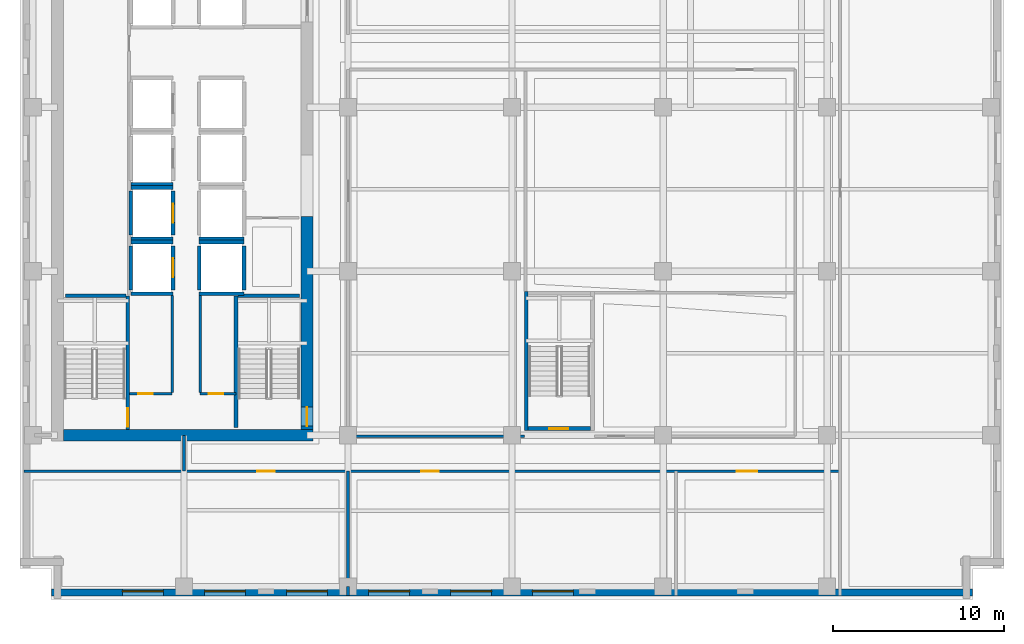
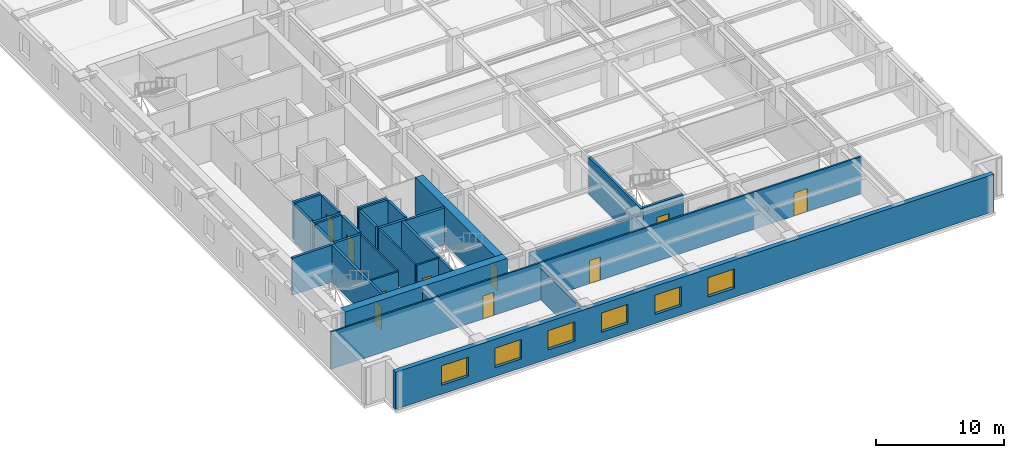
# One storey, part 4 of 12: 32 walls, 10 doors, 6 windows, 16 openings.
"""IFC4 building model written with IfcOpenShell, lengths in metres."""

from ifc_helpers import new_model, si_unit, direction, frame, frame_2d, origin, place, context, subcontext, project, spatial, rectangle, extrude, material, layer, layer_set, type_object, element, fill, save


model = new_model("IFC4")

# Units and contexts
model_context = context("Model", 3, precision=1e-05, world=origin(), true_north=direction((0.0, 1.0)))
body_context = subcontext(model_context, "Body", "Model", "MODEL_VIEW")
ifc_project = project(units=[si_unit("LENGTHUNIT", "METRE"), si_unit("AREAUNIT", "SQUARE_METRE"), si_unit("VOLUMEUNIT", "CUBIC_METRE"), si_unit("PLANEANGLEUNIT", "RADIAN"), si_unit("MASSUNIT", "GRAM", prefix="KILO")], contexts=[model_context])

# Site, building, storey
site_placement = place(None, origin())
site = spatial("IfcSite", under=ifc_project, at=site_placement, CompositionType="ELEMENT")
building_placement = place(site_placement, origin())
building = spatial("IfcBuilding", under=site, at=building_placement, Name="Norrvale University Quadrangle", CompositionType="ELEMENT")
storey_placement = place(building_placement, frame((0.0, 0.0, 109.0)))
storey = spatial("IfcBuildingStorey", under=building, at=storey_placement, Name="L27", CompositionType="ELEMENT", Elevation=109.0)

# Wall, openings, windows
ifc_material_1 = material(Name="Buff Norman Clay Brick Masonry", Category="masonry")
ifc_layer_1 = layer(ifc_material_1, 0.419921875, Name="Buff Norman Clay Brick Masonry")
ifc_layer_set_1 = layer_set([ifc_layer_1], Name="Buff Norman Clay Brick Masonry")
wall_type_1 = type_object("IfcWallType", Name="Wall Buff Brick 420", PredefinedType="SOLIDWALL", material=ifc_layer_set_1)
wall_1_placement = place(storey_placement, frame((1.840087890625, 0.389892578125, 0.0), z_axis=(0.0, 0.0, 1.0), x_axis=(1.0, 0.0, 0.0)))
wall_1 = element("IfcWall", 1, at=wall_1_placement, inside=storey, type_object=wall_type_1, Name="Exterior Brick Facade Wall L27-01.1", PredefinedType="SOLIDWALL", context=body_context, shape_type="SweptSolid", body=[
    extrude(rectangle(XDim=53.919921875, YDim=0.419921875, at=frame_2d((26.9599609375, 0.0))), origin(), (0.0, 0.0, 1.0), 3.5400390625),
])
opening_1_placement = place(wall_1_placement, frame((4.159912109375, 0.0, 0.85009765625)))
opening_1 = element("IfcOpeningElement", 2, at=opening_1_placement, cuts=wall_1, Name="Opening W02", PredefinedType="OPENING", context=body_context, shape_type="SweptSolid", body=[
    extrude(rectangle(XDim=2.39990234375, YDim=1.85009765625, at=frame_2d((1.199951171875, 0.925048828125))), frame((0.0, 0.221923828125, 0.0), z_axis=(0.0, -1.0, 0.0), x_axis=(1.0, 0.0, 0.0)), (0.0, 0.0, 1.0), 0.44384765625),
])
opening_2_placement = place(wall_1_placement, frame((8.9599609375, 0.0, 0.85009765625)))
opening_2 = element("IfcOpeningElement", 3, at=opening_2_placement, cuts=wall_1, Name="Opening W02", PredefinedType="OPENING", context=body_context, shape_type="SweptSolid", body=[
    extrude(rectangle(XDim=2.39990234375, YDim=1.85009765625, at=frame_2d((1.199951171875, 0.925048828125))), frame((0.0, 0.221923828125, 0.0), z_axis=(0.0, -1.0, 0.0), x_axis=(1.0, 0.0, 0.0)), (0.0, 0.0, 1.0), 0.44384765625),
])
opening_3_placement = place(wall_1_placement, frame((13.760009765625, 0.0, 0.85009765625)))
opening_3 = element("IfcOpeningElement", 4, at=opening_3_placement, cuts=wall_1, Name="Opening W02", PredefinedType="OPENING", context=body_context, shape_type="SweptSolid", body=[
    extrude(rectangle(XDim=2.39990234375, YDim=1.85009765625, at=frame_2d((1.199951171875, 0.925048828125))), frame((0.0, 0.221923828125, 0.0), z_axis=(0.0, -1.0, 0.0), x_axis=(1.0, 0.0, 0.0)), (0.0, 0.0, 1.0), 0.44384765625),
])
opening_4_placement = place(wall_1_placement, frame((18.56005859375, 0.0, 0.85009765625)))
opening_4 = element("IfcOpeningElement", 5, at=opening_4_placement, cuts=wall_1, Name="Opening W02", PredefinedType="OPENING", context=body_context, shape_type="SweptSolid", body=[
    extrude(rectangle(XDim=2.39990234375, YDim=1.85009765625, at=frame_2d((1.199951171875, 0.925048828125))), frame((0.0, 0.221923828125, 0.0), z_axis=(0.0, -1.0, 0.0), x_axis=(1.0, 0.0, 0.0)), (0.0, 0.0, 1.0), 0.44384765625),
])
opening_5_placement = place(wall_1_placement, frame((23.360107421875, 0.0, 0.85009765625)))
opening_5 = element("IfcOpeningElement", 6, at=opening_5_placement, cuts=wall_1, Name="Opening W02", PredefinedType="OPENING", context=body_context, shape_type="SweptSolid", body=[
    extrude(rectangle(XDim=2.39990234375, YDim=1.85009765625, at=frame_2d((1.199951171875, 0.925048828125))), frame((0.0, 0.221923828125, 0.0), z_axis=(0.0, -1.0, 0.0), x_axis=(1.0, 0.0, 0.0)), (0.0, 0.0, 1.0), 0.44384765625),
])
opening_6_placement = place(wall_1_placement, frame((28.159912109375, 0.0, 0.85009765625)))
opening_6 = element("IfcOpeningElement", 7, at=opening_6_placement, cuts=wall_1, Name="Opening W02", PredefinedType="OPENING", context=body_context, shape_type="SweptSolid", body=[
    extrude(rectangle(XDim=2.39990234375, YDim=1.85009765625, at=frame_2d((1.199951171875, 0.925048828125))), frame((0.0, 0.221923828125, 0.0), z_axis=(0.0, -1.0, 0.0), x_axis=(1.0, 0.0, 0.0)), (0.0, 0.0, 1.0), 0.44384765625),
])
ifc_material_2 = material(Name="Triple Low-E Argon Glazing", Category="glass")
window_type = type_object("IfcWindowType", Name="Window Academic 2400x2300", PartitioningType="TRIPLE_PANEL_VERTICAL", PredefinedType="WINDOW", material=ifc_material_2)
window_1_placement = place(opening_1_placement, origin())
window_1 = element("IfcWindow", 8, at=window_1_placement, inside=storey, type_object=window_type, Name="Window Academic 2400x2300 WIN-L27-E01-1-01", OverallHeight=1.85009765625, OverallWidth=2.39990234375, PartitioningType="TRIPLE_PANEL_VERTICAL", PredefinedType="WINDOW", context=body_context, shape_type="SweptSolid", body=[
    extrude(rectangle(XDim=2.39990234375, YDim=1.85009765625, at=frame_2d((1.199951171875, 0.925048828125))), frame((0.0, 0.110107421875, 0.0), z_axis=(0.0, -1.0, 0.0), x_axis=(1.0, 0.0, 0.0)), (0.0, 0.0, 1.0), 0.06005859375),
])
fill(opening_1, window_1)
window_2_placement = place(opening_2_placement, origin())
window_2 = element("IfcWindow", 9, at=window_2_placement, inside=storey, type_object=window_type, Name="Window Academic 2400x2300 WIN-L27-E01-1-02", OverallHeight=1.85009765625, OverallWidth=2.39990234375, PartitioningType="TRIPLE_PANEL_VERTICAL", PredefinedType="WINDOW", context=body_context, shape_type="SweptSolid", body=[
    extrude(rectangle(XDim=2.39990234375, YDim=1.85009765625, at=frame_2d((1.199951171875, 0.925048828125))), frame((0.0, 0.110107421875, 0.0), z_axis=(0.0, -1.0, 0.0), x_axis=(1.0, 0.0, 0.0)), (0.0, 0.0, 1.0), 0.06005859375),
])
fill(opening_2, window_2)
window_3_placement = place(opening_3_placement, origin())
window_3 = element("IfcWindow", 10, at=window_3_placement, inside=storey, type_object=window_type, Name="Window Academic 2400x2300 WIN-L27-E01-1-03", OverallHeight=1.85009765625, OverallWidth=2.39990234375, PartitioningType="TRIPLE_PANEL_VERTICAL", PredefinedType="WINDOW", context=body_context, shape_type="SweptSolid", body=[
    extrude(rectangle(XDim=2.39990234375, YDim=1.85009765625, at=frame_2d((1.199951171875, 0.925048828125))), frame((0.0, 0.110107421875, 0.0), z_axis=(0.0, -1.0, 0.0), x_axis=(1.0, 0.0, 0.0)), (0.0, 0.0, 1.0), 0.06005859375),
])
fill(opening_3, window_3)
window_4_placement = place(opening_4_placement, origin())
window_4 = element("IfcWindow", 11, at=window_4_placement, inside=storey, type_object=window_type, Name="Window Academic 2400x2300 WIN-L27-E01-1-04", OverallHeight=1.85009765625, OverallWidth=2.39990234375, PartitioningType="TRIPLE_PANEL_VERTICAL", PredefinedType="WINDOW", context=body_context, shape_type="SweptSolid", body=[
    extrude(rectangle(XDim=2.39990234375, YDim=1.85009765625, at=frame_2d((1.199951171875, 0.925048828125))), frame((0.0, 0.110107421875, 0.0), z_axis=(0.0, -1.0, 0.0), x_axis=(1.0, 0.0, 0.0)), (0.0, 0.0, 1.0), 0.06005859375),
])
fill(opening_4, window_4)
window_5_placement = place(opening_5_placement, origin())
window_5 = element("IfcWindow", 12, at=window_5_placement, inside=storey, type_object=window_type, Name="Window Academic 2400x2300 WIN-L27-E01-1-05", OverallHeight=1.85009765625, OverallWidth=2.39990234375, PartitioningType="TRIPLE_PANEL_VERTICAL", PredefinedType="WINDOW", context=body_context, shape_type="SweptSolid", body=[
    extrude(rectangle(XDim=2.39990234375, YDim=1.85009765625, at=frame_2d((1.199951171875, 0.925048828125))), frame((0.0, 0.110107421875, 0.0), z_axis=(0.0, -1.0, 0.0), x_axis=(1.0, 0.0, 0.0)), (0.0, 0.0, 1.0), 0.06005859375),
])
fill(opening_5, window_5)
window_6_placement = place(opening_6_placement, origin())
window_6 = element("IfcWindow", 13, at=window_6_placement, inside=storey, type_object=window_type, Name="Window Academic 2400x2300 WIN-L27-E01-1-06", OverallHeight=1.85009765625, OverallWidth=2.39990234375, PartitioningType="TRIPLE_PANEL_VERTICAL", PredefinedType="WINDOW", context=body_context, shape_type="SweptSolid", body=[
    extrude(rectangle(XDim=2.39990234375, YDim=1.85009765625, at=frame_2d((1.199951171875, 0.925048828125))), frame((0.0, 0.110107421875, 0.0), z_axis=(0.0, -1.0, 0.0), x_axis=(1.0, 0.0, 0.0)), (0.0, 0.0, 1.0), 0.06005859375),
])
fill(opening_6, window_6)

# Wall
ifc_material_3 = material(Name="Concrete C60/75", Category="concrete")
ifc_layer_2 = layer(ifc_material_3, 0.699951171875, Name="Concrete C60/75")
ifc_layer_set_2 = layer_set([ifc_layer_2], Name="Concrete C60/75")
wall_type_2 = type_object("IfcWallType", Name="Wall Core 700", PredefinedType="SHEAR", material=ifc_layer_set_2)
wall_2_placement = place(storey_placement, frame((2.550048828125, 9.60009765625, 0.0), z_axis=(0.0, 0.0, 1.0), x_axis=(1.0, 0.0, 0.0)))
element("IfcWall", 14, at=wall_2_placement, inside=storey, type_object=wall_type_2, Name="Tower Core Shear Wall L27-S", PredefinedType="SHEAR", context=body_context, shape_type="SweptSolid", body=[
    extrude(rectangle(XDim=14.599853515625, YDim=0.699951171875, at=frame_2d((7.2998046875, 0.0))), origin(), (0.0, 0.0, 1.0), 3.5400390625),
])

# Wall, opening, door
wall_3_placement = place(storey_placement, frame((16.800048828125, 9.949951171875, 0.0), z_axis=(0.0, 0.0, 1.0), x_axis=(0.0, 1.0, 0.0)))
wall_3 = element("IfcWall", 15, at=wall_3_placement, inside=storey, type_object=wall_type_2, Name="Tower Core Shear Wall L27-E1", PredefinedType="SHEAR", context=body_context, shape_type="SweptSolid", body=[
    extrude(rectangle(XDim=12.449951171875, YDim=0.699951171875, at=frame_2d((6.22509765625, 0.0))), origin(), (0.0, 0.0, 1.0), 3.5400390625),
])
opening_7_placement = place(wall_3_placement, frame((0.18994140625, 0.0, 0.0)))
opening_7 = element("IfcOpeningElement", 16, at=opening_7_placement, cuts=wall_3, Name="Opening D02", PredefinedType="OPENING", context=body_context, shape_type="SweptSolid", body=[
    extrude(rectangle(XDim=1.10009765625, YDim=2.199951171875, at=frame_2d((0.550048828125, 1.10009765625))), frame((0.0, 0.362060546875, 0.0), z_axis=(0.0, -1.0, 0.0), x_axis=(1.0, 0.0, 0.0)), (0.0, 0.0, 1.0), 0.723876953125),
])
ifc_material_4 = material(Name="Hollow Steel 350W Fire Door", Category="steel")
door_type_1 = type_object("IfcDoorType", Name="Door Stair Exit 1100x2200", OperationType="NOTDEFINED", PredefinedType="DOOR", material=ifc_material_4)
door_1_placement = place(opening_7_placement, origin())
door_1 = element("IfcDoor", 17, at=door_1_placement, inside=storey, type_object=door_type_1, Name="Door Stair Exit 1100x2200 DR-L27-ST03", OperationType="SINGLE_SWING_LEFT", OverallHeight=2.199951171875, OverallWidth=1.10009765625, PredefinedType="DOOR", context=body_context, shape_type="SweptSolid", body=[
    extrude(rectangle(XDim=1.10009765625, YDim=2.199951171875, at=frame_2d((0.550048828125, 1.10009765625))), frame((0.0, 0.02490234375, 0.0), z_axis=(0.0, -1.0, 0.0), x_axis=(1.0, 0.0, 0.0)), (0.0, 0.0, 1.0), 0.050048828125),
])
fill(opening_7, door_1)

ifc_material_5 = material(Name="Fire-Rated Gypsum Stud Partition")
ifc_layer_3 = layer(ifc_material_5, 0.14990234375, Name="Fire-Rated Gypsum Stud Partition")
ifc_layer_set_3 = layer_set([ifc_layer_3], Name="Fire-Rated Gypsum Stud Partition")
wall_type_3 = type_object("IfcWallType", Name="Wall Gypsum Corridor 150", PredefinedType="PARTITIONING", material=ifc_layer_set_3)
wall_4_placement = place(storey_placement, frame((6.419921875, 12.02001953125, 0.0), z_axis=(0.0, 0.0, 1.0), x_axis=(1.0, 0.0, 0.0)))
wall_4 = element("IfcWall", 18, at=wall_4_placement, inside=storey, type_object=wall_type_3, Name="Interior Partition WL-L27-SC-NL", PredefinedType="PARTITIONING", context=body_context, shape_type="SweptSolid", body=[
    extrude(rectangle(XDim=2.47998046875, YDim=0.14990234375, at=frame_2d((1.239990234375, 0.0))), origin(), (0.0, 0.0, 1.0), 3.5400390625),
])
opening_8_placement = place(wall_4_placement, frame((0.5, 0.0, 0.0)))
opening_8 = element("IfcOpeningElement", 19, at=opening_8_placement, cuts=wall_4, Name="Opening D10", PredefinedType="OPENING", context=body_context, shape_type="SweptSolid", body=[
    extrude(rectangle(XDim=0.85009765625, YDim=2.10009765625, at=frame_2d((0.425048828125, 1.050048828125))), frame((0.0, 0.0869140625, 0.0), z_axis=(0.0, -1.0, 0.0), x_axis=(1.0, 0.0, 0.0)), (0.0, 0.0, 1.0), 0.173828125),
])
ifc_material_6 = material(Name="Hollow Steel 350W Riser Fire Door", Category="steel")
door_type_2 = type_object("IfcDoorType", Name="Door Riser 850x2100", OperationType="NOTDEFINED", PredefinedType="DOOR", material=ifc_material_6)
door_2_placement = place(opening_8_placement, origin())
door_2 = element("IfcDoor", 20, at=door_2_placement, inside=storey, type_object=door_type_2, Name="Door Riser 850x2100 DR-L27-ELEC", OperationType="SINGLE_SWING_LEFT", OverallHeight=2.10009765625, OverallWidth=0.85009765625, PredefinedType="DOOR", context=body_context, shape_type="SweptSolid", body=[
    extrude(rectangle(XDim=0.85009765625, YDim=2.10009765625, at=frame_2d((0.425048828125, 1.050048828125))), frame((0.0, 0.02490234375, 0.0), z_axis=(0.0, -1.0, 0.0), x_axis=(1.0, 0.0, 0.0)), (0.0, 0.0, 1.0), 0.050048828125),
])
fill(opening_8, door_2)

wall_5_placement = place(storey_placement, frame((10.550048828125, 12.02001953125, 0.0), z_axis=(0.0, 0.0, 1.0), x_axis=(1.0, 0.0, 0.0)))
wall_5 = element("IfcWall", 21, at=wall_5_placement, inside=storey, type_object=wall_type_3, Name="Interior Partition WL-L27-SC-NR", PredefinedType="PARTITIONING", context=body_context, shape_type="SweptSolid", body=[
    extrude(rectangle(XDim=2.079833984375, YDim=0.14990234375, at=frame_2d((1.0400390625, 0.0))), origin(), (0.0, 0.0, 1.0), 3.5400390625),
])
opening_9_placement = place(wall_5_placement, frame((0.5, 0.0, 0.0)))
opening_9 = element("IfcOpeningElement", 22, at=opening_9_placement, cuts=wall_5, Name="Opening D10", PredefinedType="OPENING", context=body_context, shape_type="SweptSolid", body=[
    extrude(rectangle(XDim=0.85009765625, YDim=2.10009765625, at=frame_2d((0.425048828125, 1.050048828125))), frame((0.0, 0.0869140625, 0.0), z_axis=(0.0, -1.0, 0.0), x_axis=(1.0, 0.0, 0.0)), (0.0, 0.0, 1.0), 0.173828125),
])
door_3_placement = place(opening_9_placement, origin())
door_3 = element("IfcDoor", 23, at=door_3_placement, inside=storey, type_object=door_type_2, Name="Door Riser 850x2100 DR-L27-IDF", OperationType="SINGLE_SWING_RIGHT", OverallHeight=2.10009765625, OverallWidth=0.85009765625, PredefinedType="DOOR", context=body_context, shape_type="SweptSolid", body=[
    extrude(rectangle(XDim=0.85009765625, YDim=2.10009765625, at=frame_2d((0.425048828125, 1.050048828125))), frame((0.0, 0.02490234375, 0.0), z_axis=(0.0, -1.0, 0.0), x_axis=(1.0, 0.0, 0.0)), (0.0, 0.0, 1.0), 0.050048828125),
])
fill(opening_9, door_3)

# Walls
for number, where, z_axis, x_axis, name in (
    (24, (8.89990234375, 12.094970703125, 0.0), (0.0, 0.0, 1.0), (0.0, 1.0, 0.0), "Interior Partition WL-L27-SC-WL"),
    (25, (10.550048828125, 12.094970703125, 0.0), (0.0, 0.0, 1.0), (0.0, 1.0, 0.0), "Interior Partition WL-L27-SC-WR"),
):
    element("IfcWall", number, at=place(storey_placement, frame(where, z_axis=z_axis, x_axis=x_axis)), inside=storey, type_object=wall_type_3, Name=name, PredefinedType="PARTITIONING", context=body_context, shape_type="SweptSolid", body=[
        extrude(rectangle(XDim=5.679931640625, YDim=0.14990234375, at=frame_2d((2.83984375, 0.0))), origin(), (0.0, 0.0, 1.0), 3.5400390625),
    ])
wall_6_placement = place(storey_placement, frame((9.60009765625, 7.5, 0.0), z_axis=(0.0, 0.0, 1.0), x_axis=(0.0, 1.0, 0.0)))
element("IfcWall", 26, at=wall_6_placement, inside=storey, type_object=wall_type_3, Name="Interior Partition WL-L27-CSW-END", PredefinedType="PARTITIONING", context=body_context, shape_type="SweptSolid", body=[
    extrude(rectangle(XDim=2.10009765625, YDim=0.14990234375, at=frame_2d((1.050048828125, 0.0))), origin(), (0.0, 0.0, 1.0), 3.18408203125),
])

# Wall, openings, doors
wall_7_placement = place(storey_placement, frame((0.219970703125, 7.5, 0.0), z_axis=(0.0, 0.0, 1.0), x_axis=(1.0, 0.0, 0.0)))
wall_7 = element("IfcWall", 27, at=wall_7_placement, inside=storey, type_object=wall_type_3, Name="Interior Partition WL-L27-SCW", PredefinedType="PARTITIONING", context=body_context, shape_type="SweptSolid", body=[
    extrude(rectangle(XDim=47.780029296875, YDim=0.14990234375, at=frame_2d((23.89013671875, 0.0))), origin(), (0.0, 0.0, 1.0), 3.5400390625),
])
opening_10_placement = place(wall_7_placement, frame((13.679931640625, 0.0, 0.0)))
opening_10 = element("IfcOpeningElement", 28, at=opening_10_placement, cuts=wall_7, Name="Opening D04", PredefinedType="OPENING", context=body_context, shape_type="SweptSolid", body=[
    extrude(rectangle(XDim=1.0, YDim=2.199951171875, at=frame_2d((0.5, 1.10009765625))), frame((0.0, 0.0869140625, 0.0), z_axis=(0.0, -1.0, 0.0), x_axis=(1.0, 0.0, 0.0)), (0.0, 0.0, 1.0), 0.173828125),
])
opening_11_placement = place(wall_7_placement, frame((23.280029296875, 0.0, 0.0)))
opening_11 = element("IfcOpeningElement", 29, at=opening_11_placement, cuts=wall_7, Name="Opening D04", PredefinedType="OPENING", context=body_context, shape_type="SweptSolid", body=[
    extrude(rectangle(XDim=1.0, YDim=2.199951171875, at=frame_2d((0.5, 1.10009765625))), frame((0.0, 0.0869140625, 0.0), z_axis=(0.0, -1.0, 0.0), x_axis=(1.0, 0.0, 0.0)), (0.0, 0.0, 1.0), 0.173828125),
])
opening_12_placement = place(wall_7_placement, frame((41.72998046875, 0.0, 0.0)))
opening_12 = element("IfcOpeningElement", 30, at=opening_12_placement, cuts=wall_7, Name="Opening D05", PredefinedType="OPENING", context=body_context, shape_type="SweptSolid", body=[
    extrude(rectangle(XDim=1.199951171875, YDim=2.199951171875, at=frame_2d((0.60009765625, 1.10009765625))), frame((0.0, 0.0869140625, 0.0), z_axis=(0.0, -1.0, 0.0), x_axis=(1.0, 0.0, 0.0)), (0.0, 0.0, 1.0), 0.173828125),
])
ifc_material_7 = material(Name="Acoustic Oak Classroom Door", Category="wood")
door_type_3 = type_object("IfcDoorType", Name="Door Classroom 1200x2200", OperationType="NOTDEFINED", PredefinedType="DOOR", material=ifc_material_7)
door_4_placement = place(opening_12_placement, origin())
door_4 = element("IfcDoor", 31, at=door_4_placement, inside=storey, type_object=door_type_3, Name="Door Classroom 1200x2200 DR-L27-S03", OperationType="SINGLE_SWING_LEFT", OverallHeight=2.199951171875, OverallWidth=1.199951171875, PredefinedType="DOOR", context=body_context, shape_type="SweptSolid", body=[
    extrude(rectangle(XDim=1.199951171875, YDim=2.199951171875, at=frame_2d((0.60009765625, 1.10009765625))), frame((0.0, 0.02490234375, 0.0), z_axis=(0.0, -1.0, 0.0), x_axis=(1.0, 0.0, 0.0)), (0.0, 0.0, 1.0), 0.050048828125),
])
fill(opening_12, door_4)
ifc_material_8 = material(Name="Solid-Core Oak Fire Door", Category="wood")
door_type_4 = type_object("IfcDoorType", Name="Door Corridor 1000x2200", OperationType="NOTDEFINED", PredefinedType="DOOR", material=ifc_material_8)
door_5_placement = place(opening_10_placement, origin())
door_5 = element("IfcDoor", 32, at=door_5_placement, inside=storey, type_object=door_type_4, Name="Door Corridor 1000x2200 DR-L27-S01", OperationType="SINGLE_SWING_LEFT", OverallHeight=2.199951171875, OverallWidth=1.0, PredefinedType="DOOR", context=body_context, shape_type="SweptSolid", body=[
    extrude(rectangle(XDim=1.0, YDim=2.199951171875, at=frame_2d((0.5, 1.10009765625))), frame((0.0, 0.02490234375, 0.0), z_axis=(0.0, -1.0, 0.0), x_axis=(1.0, 0.0, 0.0)), (0.0, 0.0, 1.0), 0.050048828125),
])
fill(opening_10, door_5)
door_6_placement = place(opening_11_placement, origin())
door_6 = element("IfcDoor", 33, at=door_6_placement, inside=storey, type_object=door_type_4, Name="Door Corridor 1000x2200 DR-L27-S02", OperationType="SINGLE_SWING_RIGHT", OverallHeight=2.199951171875, OverallWidth=1.0, PredefinedType="DOOR", context=body_context, shape_type="SweptSolid", body=[
    extrude(rectangle(XDim=1.0, YDim=2.199951171875, at=frame_2d((0.5, 1.10009765625))), frame((0.0, 0.02490234375, 0.0), z_axis=(0.0, -1.0, 0.0), x_axis=(1.0, 0.0, 0.0)), (0.0, 0.0, 1.0), 0.050048828125),
])
fill(opening_11, door_6)

# Walls
wall_8_placement = place(storey_placement, frame((19.280029296875, 9.550048828125, 0.0), z_axis=(0.0, 0.0, 1.0), x_axis=(1.0, 0.0, 0.0)))
element("IfcWall", 34, at=wall_8_placement, inside=storey, type_object=wall_type_3, Name="Interior Partition WL-L27-ISLS1", PredefinedType="PARTITIONING", context=body_context, shape_type="SweptSolid", body=[
    extrude(rectangle(XDim=10.244873046875, YDim=0.14990234375, at=frame_2d((5.12255859375, 0.0))), origin(), (0.0, 0.0, 1.0), 3.18408203125),
])
ifc_material_9 = material(Name="Sanitary Chase Gypsum Partition")
ifc_layer_4 = layer(ifc_material_9, 0.1650390625, Name="Sanitary Chase Gypsum Partition")
ifc_layer_set_4 = layer_set([ifc_layer_4], Name="Sanitary Chase Gypsum Partition")
wall_type_4 = type_object("IfcWallType", Name="Wall Gypsum Sanitary 165", PredefinedType="PLUMBINGWALL", material=ifc_layer_set_4)
wall_9_placement = place(storey_placement, frame((19.199951171875, 0.219970703125, 0.0), z_axis=(0.0, 0.0, 1.0), x_axis=(0.0, 1.0, 0.0)))
element("IfcWall", 35, at=wall_9_placement, inside=storey, type_object=wall_type_4, Name="Interior Partition WL-L27-SP01", PredefinedType="PLUMBINGWALL", context=body_context, shape_type="SweptSolid", body=[
    extrude(rectangle(XDim=0.530029296875, YDim=0.1650390625, at=frame_2d((0.26513671875, 0.0))), origin(), (0.0, 0.0, 1.0), 3.5400390625),
])
wall_10_placement = place(storey_placement, frame((19.199951171875, 0.75, 0.0), z_axis=(0.0, 0.0, 1.0), x_axis=(0.0, 1.0, 0.0)))
element("IfcWall", 36, at=wall_10_placement, inside=storey, type_object=wall_type_4, Name="Interior Partition WL-L27-SP01-B2", PredefinedType="PLUMBINGWALL", context=body_context, shape_type="SweptSolid", body=[
    extrude(rectangle(XDim=6.75, YDim=0.1650390625, at=frame_2d((3.375, 0.0))), origin(), (0.0, 0.0, 1.0), 3.18408203125),
])

# Wall, opening, door
ifc_material_10 = material(Name="Concrete Blockwork 20 MPa Fire Shaft", Category="masonry")
ifc_layer_5 = layer(ifc_material_10, 0.219970703125, Name="Concrete Blockwork 20 MPa Fire Shaft")
ifc_layer_set_5 = layer_set([ifc_layer_5], Name="Concrete Blockwork 20 MPa Fire Shaft")
wall_type_5 = type_object("IfcWallType", Name="Wall Shaft 220", PredefinedType="SOLIDWALL", material=ifc_layer_set_5)
wall_11_placement = place(storey_placement, frame((6.31005859375, 9.949951171875, 0.0), z_axis=(0.0, 0.0, 1.0), x_axis=(0.0, 1.0, 0.0)))
wall_11 = element("IfcWall", 37, at=wall_11_placement, inside=storey, type_object=wall_type_5, Name="Stair ST-01 East Shaft Wall L27", PredefinedType="SOLIDWALL", context=body_context, shape_type="SweptSolid", body=[
    extrude(rectangle(XDim=7.81005859375, YDim=0.219970703125, at=frame_2d((3.905029296875, 0.0))), origin(), (0.0, 0.0, 1.0), 3.5400390625),
])
opening_13_placement = place(wall_11_placement, frame((0.139892578125, 0.0, 0.0)))
opening_13 = element("IfcOpeningElement", 38, at=opening_13_placement, cuts=wall_11, Name="Opening D02", PredefinedType="OPENING", context=body_context, shape_type="SweptSolid", body=[
    extrude(rectangle(XDim=1.10009765625, YDim=2.199951171875, at=frame_2d((0.550048828125, 1.10009765625))), frame((0.0, 0.1220703125, 0.0), z_axis=(0.0, -1.0, 0.0), x_axis=(1.0, 0.0, 0.0)), (0.0, 0.0, 1.0), 0.243896484375),
])
door_7_placement = place(opening_13_placement, origin())
door_7 = element("IfcDoor", 39, at=door_7_placement, inside=storey, type_object=door_type_1, Name="Door Stair Exit 1100x2200 DR-L27-ST01", OperationType="SINGLE_SWING_LEFT", OverallHeight=2.199951171875, OverallWidth=1.10009765625, PredefinedType="DOOR", context=body_context, shape_type="SweptSolid", body=[
    extrude(rectangle(XDim=1.10009765625, YDim=2.199951171875, at=frame_2d((0.550048828125, 1.10009765625))), frame((0.0, 0.02490234375, 0.0), z_axis=(0.0, -1.0, 0.0), x_axis=(1.0, 0.0, 0.0)), (0.0, 0.0, 1.0), 0.050048828125),
])
fill(opening_13, door_7)

# Walls
wall_12_placement = place(storey_placement, frame((2.64990234375, 17.760009765625, 0.0), z_axis=(0.0, 0.0, 1.0), x_axis=(1.0, 0.0, 0.0)))
element("IfcWall", 40, at=wall_12_placement, inside=storey, type_object=wall_type_5, Name="Stair ST-01 North Shaft Wall L27", PredefinedType="SOLIDWALL", context=body_context, shape_type="SweptSolid", body=[
    extrude(rectangle(XDim=3.550048828125, YDim=0.219970703125, at=frame_2d((1.77490234375, 0.0))), origin(), (0.0, 0.0, 1.0), 3.5400390625),
])
wall_13_placement = place(storey_placement, frame((12.639892578125, 10.050048828125, 0.0), z_axis=(0.0, 0.0, 1.0), x_axis=(0.0, 1.0, 0.0)))
element("IfcWall", 41, at=wall_13_placement, inside=storey, type_object=wall_type_5, Name="Stair ST-03 West Shaft Wall L27", PredefinedType="SOLIDWALL", context=body_context, shape_type="SweptSolid", body=[
    extrude(rectangle(XDim=7.7099609375, YDim=0.219970703125, at=frame_2d((3.85498046875, 0.0))), origin(), (0.0, 0.0, 1.0), 3.5400390625),
])
wall_14_placement = place(storey_placement, frame((12.75, 17.760009765625, 0.0), z_axis=(0.0, 0.0, 1.0), x_axis=(1.0, 0.0, 0.0)))
element("IfcWall", 42, at=wall_14_placement, inside=storey, type_object=wall_type_5, Name="Stair ST-03 North Shaft Wall L27", PredefinedType="SOLIDWALL", context=body_context, shape_type="SweptSolid", body=[
    extrude(rectangle(XDim=3.60009765625, YDim=0.219970703125, at=frame_2d((1.800048828125, 0.0))), origin(), (0.0, 0.0, 1.0), 3.5400390625),
])

# Wall, opening, door
wall_15_placement = place(storey_placement, frame((29.75, 9.989990234375, 0.0), z_axis=(0.0, 0.0, 1.0), x_axis=(1.0, 0.0, 0.0)))
wall_15 = element("IfcWall", 43, at=wall_15_placement, inside=storey, type_object=wall_type_5, Name="Stair ST-04 South Shaft Wall L27", PredefinedType="SOLIDWALL", context=body_context, shape_type="SweptSolid", body=[
    extrude(rectangle(XDim=3.64990234375, YDim=0.219970703125, at=frame_2d((1.824951171875, 0.0))), origin(), (0.0, 0.0, 1.0), 3.5400390625),
])
opening_14_placement = place(wall_15_placement, frame((1.239990234375, 0.0, 0.0)))
opening_14 = element("IfcOpeningElement", 44, at=opening_14_placement, cuts=wall_15, Name="Opening D02", PredefinedType="OPENING", context=body_context, shape_type="SweptSolid", body=[
    extrude(rectangle(XDim=1.10009765625, YDim=2.199951171875, at=frame_2d((0.550048828125, 1.10009765625))), frame((0.0, 0.1220703125, 0.0), z_axis=(0.0, -1.0, 0.0), x_axis=(1.0, 0.0, 0.0)), (0.0, 0.0, 1.0), 0.243896484375),
])
door_8_placement = place(opening_14_placement, origin())
door_8 = element("IfcDoor", 45, at=door_8_placement, inside=storey, type_object=door_type_1, Name="Door Stair Exit 1100x2200 DR-L27-ST04", OperationType="SINGLE_SWING_LEFT", OverallHeight=2.199951171875, OverallWidth=1.10009765625, PredefinedType="DOOR", context=body_context, shape_type="SweptSolid", body=[
    extrude(rectangle(XDim=1.10009765625, YDim=2.199951171875, at=frame_2d((0.550048828125, 1.10009765625))), frame((0.0, 0.02490234375, 0.0), z_axis=(0.0, -1.0, 0.0), x_axis=(1.0, 0.0, 0.0)), (0.0, 0.0, 1.0), 0.050048828125),
])
fill(opening_14, door_8)

# Walls
wall_16_placement = place(storey_placement, frame((29.639892578125, 9.8798828125, 0.0), z_axis=(0.0, 0.0, 1.0), x_axis=(0.0, 1.0, 0.0)))
element("IfcWall", 46, at=wall_16_placement, inside=storey, type_object=wall_type_5, Name="Stair ST-04 West Shaft Wall L27", PredefinedType="SOLIDWALL", context=body_context, shape_type="SweptSolid", body=[
    extrude(rectangle(XDim=8.14013671875, YDim=0.219970703125, at=frame_2d((4.070068359375, 0.0))), origin(), (0.0, 0.0, 1.0), 3.5400390625),
])
wall_17_placement = place(storey_placement, frame((6.489990234375, 18.110107421875, 0.0), z_axis=(0.0, 0.0, 1.0), x_axis=(0.0, 1.0, 0.0)))
element("IfcWall", 47, at=wall_17_placement, inside=storey, type_object=wall_type_5, Name="Hoistway PL-01 West Wall L27", PredefinedType="SOLIDWALL", context=body_context, shape_type="SweptSolid", body=[
    extrude(rectangle(XDim=2.579833984375, YDim=0.219970703125, at=frame_2d((1.2900390625, 0.0))), origin(), (0.0, 0.0, 1.0), 3.5400390625),
])

# Wall, opening, door
wall_18_placement = place(storey_placement, frame((8.9599609375, 18.110107421875, 0.0), z_axis=(0.0, 0.0, 1.0), x_axis=(0.0, 1.0, 0.0)))
wall_18 = element("IfcWall", 48, at=wall_18_placement, inside=storey, type_object=wall_type_5, Name="Hoistway PL-01 East Wall L27", PredefinedType="SOLIDWALL", context=body_context, shape_type="SweptSolid", body=[
    extrude(rectangle(XDim=2.579833984375, YDim=0.219970703125, at=frame_2d((1.2900390625, 0.0))), origin(), (0.0, 0.0, 1.0), 3.5400390625),
])
opening_15_placement = place(wall_18_placement, frame((0.739990234375, 0.0, 0.0)))
opening_15 = element("IfcOpeningElement", 49, at=opening_15_placement, cuts=wall_18, Name="Opening LD1", PredefinedType="OPENING", context=body_context, shape_type="SweptSolid", body=[
    extrude(rectangle(XDim=1.10009765625, YDim=2.199951171875, at=frame_2d((0.550048828125, 1.10009765625))), frame((0.0, 0.1220703125, 0.0), z_axis=(0.0, -1.0, 0.0), x_axis=(1.0, 0.0, 0.0)), (0.0, 0.0, 1.0), 0.243896484375),
])
ifc_material_11 = material(Name="Stainless Steel 316L Lift Landing Door", Category="steel")
door_type_5 = type_object("IfcDoorType", Name="Door Lift Landing 1100x2200", OperationType="DOUBLE_DOOR_SLIDING", PredefinedType="DOOR", material=ifc_material_11)
door_9_placement = place(opening_15_placement, origin())
door_9 = element("IfcDoor", 50, at=door_9_placement, inside=storey, type_object=door_type_5, Name="Elevator Landing Door DR-L27-PL-01", OperationType="DOUBLE_DOOR_SLIDING", OverallHeight=2.199951171875, OverallWidth=1.10009765625, PredefinedType="DOOR", context=body_context, shape_type="SweptSolid", body=[
    extrude(rectangle(XDim=1.10009765625, YDim=2.199951171875, at=frame_2d((0.550048828125, 1.10009765625))), frame((0.0, 0.02490234375, 0.0), z_axis=(0.0, -1.0, 0.0), x_axis=(1.0, 0.0, 0.0)), (0.0, 0.0, 1.0), 0.050048828125),
])
fill(opening_15, door_9)

# Walls
for number, where, z_axis, x_axis, name in (
    (51, (6.489990234375, 17.889892578125, 0.0), (0.0, 0.0, 1.0), (1.0, 0.0, 0.0), "Hoistway PL-01 South Wall L27"),
    (52, (6.489990234375, 20.909912109375, 0.0), (0.0, 0.0, 1.0), (1.0, 0.0, 0.0), "Hoistway PL-01 North Wall L27"),
):
    element("IfcWall", number, at=place(storey_placement, frame(where, z_axis=z_axis, x_axis=x_axis)), inside=storey, type_object=wall_type_5, Name=name, PredefinedType="SOLIDWALL", context=body_context, shape_type="SweptSolid", body=[
        extrude(rectangle(XDim=2.469970703125, YDim=0.219970703125, at=frame_2d((1.23486328125, 0.0))), origin(), (0.0, 0.0, 1.0), 3.5400390625),
    ])
wall_19_placement = place(storey_placement, frame((6.489990234375, 21.31005859375, 0.0), z_axis=(0.0, 0.0, 1.0), x_axis=(0.0, 1.0, 0.0)))
element("IfcWall", 53, at=wall_19_placement, inside=storey, type_object=wall_type_5, Name="Hoistway PL-02 West Wall L27", PredefinedType="SOLIDWALL", context=body_context, shape_type="SweptSolid", body=[
    extrude(rectangle(XDim=2.579833984375, YDim=0.219970703125, at=frame_2d((1.2900390625, 0.0))), origin(), (0.0, 0.0, 1.0), 3.5400390625),
])

# Wall, opening, door
wall_20_placement = place(storey_placement, frame((8.9599609375, 21.31005859375, 0.0), z_axis=(0.0, 0.0, 1.0), x_axis=(0.0, 1.0, 0.0)))
wall_20 = element("IfcWall", 54, at=wall_20_placement, inside=storey, type_object=wall_type_5, Name="Hoistway PL-02 East Wall L27", PredefinedType="SOLIDWALL", context=body_context, shape_type="SweptSolid", body=[
    extrude(rectangle(XDim=2.579833984375, YDim=0.219970703125, at=frame_2d((1.2900390625, 0.0))), origin(), (0.0, 0.0, 1.0), 3.5400390625),
])
opening_16_placement = place(wall_20_placement, frame((0.739990234375, 0.0, 0.0)))
opening_16 = element("IfcOpeningElement", 55, at=opening_16_placement, cuts=wall_20, Name="Opening LD1", PredefinedType="OPENING", context=body_context, shape_type="SweptSolid", body=[
    extrude(rectangle(XDim=1.10009765625, YDim=2.199951171875, at=frame_2d((0.550048828125, 1.10009765625))), frame((0.0, 0.1220703125, 0.0), z_axis=(0.0, -1.0, 0.0), x_axis=(1.0, 0.0, 0.0)), (0.0, 0.0, 1.0), 0.243896484375),
])
door_10_placement = place(opening_16_placement, origin())
door_10 = element("IfcDoor", 56, at=door_10_placement, inside=storey, type_object=door_type_5, Name="Elevator Landing Door DR-L27-PL-02", OperationType="DOUBLE_DOOR_SLIDING", OverallHeight=2.199951171875, OverallWidth=1.10009765625, PredefinedType="DOOR", context=body_context, shape_type="SweptSolid", body=[
    extrude(rectangle(XDim=1.10009765625, YDim=2.199951171875, at=frame_2d((0.550048828125, 1.10009765625))), frame((0.0, 0.02490234375, 0.0), z_axis=(0.0, -1.0, 0.0), x_axis=(1.0, 0.0, 0.0)), (0.0, 0.0, 1.0), 0.050048828125),
])
fill(opening_16, door_10)

# Walls
for number, where, z_axis, x_axis, name in (
    (57, (6.489990234375, 21.090087890625, 0.0), (0.0, 0.0, 1.0), (1.0, 0.0, 0.0), "Hoistway PL-02 South Wall L27"),
    (58, (6.489990234375, 24.110107421875, 0.0), (0.0, 0.0, 1.0), (1.0, 0.0, 0.0), "Hoistway PL-02 North Wall L27"),
    (59, (6.489990234375, 24.2900390625, 0.0), (0.0, 0.0, 1.0), (1.0, 0.0, 0.0), "Hoistway PL-03 South Wall L27"),
):
    element("IfcWall", number, at=place(storey_placement, frame(where, z_axis=z_axis, x_axis=x_axis)), inside=storey, type_object=wall_type_5, Name=name, PredefinedType="SOLIDWALL", context=body_context, shape_type="SweptSolid", body=[
        extrude(rectangle(XDim=2.469970703125, YDim=0.219970703125, at=frame_2d((1.23486328125, 0.0))), origin(), (0.0, 0.0, 1.0), 3.5400390625),
    ])
for number, where, z_axis, x_axis, name in (
    (60, (10.489990234375, 18.110107421875, 0.0), (0.0, 0.0, 1.0), (0.0, 1.0, 0.0), "Hoistway PL-05 West Wall L27"),
    (61, (13.110107421875, 18.110107421875, 0.0), (0.0, 0.0, 1.0), (0.0, 1.0, 0.0), "Hoistway PL-05 East Wall L27"),
):
    element("IfcWall", number, at=place(storey_placement, frame(where, z_axis=z_axis, x_axis=x_axis)), inside=storey, type_object=wall_type_5, Name=name, PredefinedType="SOLIDWALL", context=body_context, shape_type="SweptSolid", body=[
        extrude(rectangle(XDim=2.579833984375, YDim=0.219970703125, at=frame_2d((1.2900390625, 0.0))), origin(), (0.0, 0.0, 1.0), 3.5400390625),
    ])
for number, where, z_axis, x_axis, name in (
    (62, (10.489990234375, 17.889892578125, 0.0), (0.0, 0.0, 1.0), (1.0, 0.0, 0.0), "Hoistway PL-05 South Wall L27"),
    (63, (10.489990234375, 20.909912109375, 0.0), (0.0, 0.0, 1.0), (1.0, 0.0, 0.0), "Hoistway PL-05 North Wall L27"),
    (64, (10.489990234375, 21.090087890625, 0.0), (0.0, 0.0, 1.0), (1.0, 0.0, 0.0), "Hoistway PL-06 South Wall L27"),
):
    element("IfcWall", number, at=place(storey_placement, frame(where, z_axis=z_axis, x_axis=x_axis)), inside=storey, type_object=wall_type_5, Name=name, PredefinedType="SOLIDWALL", context=body_context, shape_type="SweptSolid", body=[
        extrude(rectangle(XDim=2.6201171875, YDim=0.219970703125, at=frame_2d((1.31005859375, 0.0))), origin(), (0.0, 0.0, 1.0), 3.5400390625),
    ])

save(model, "model.ifc")
